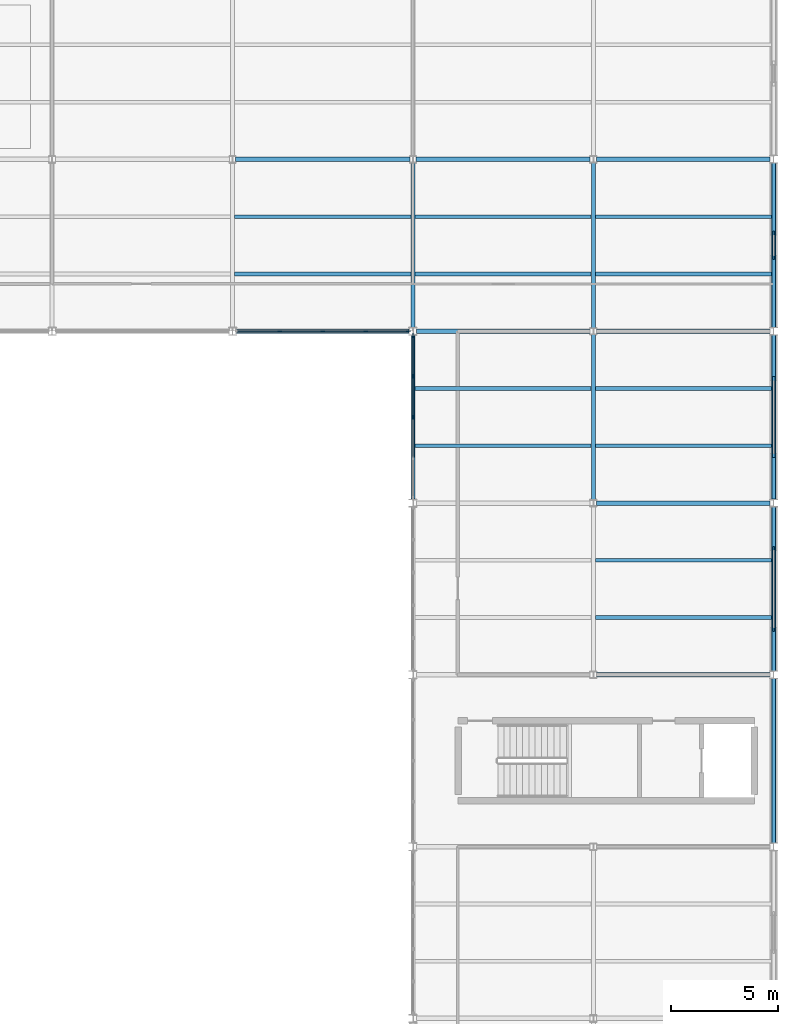
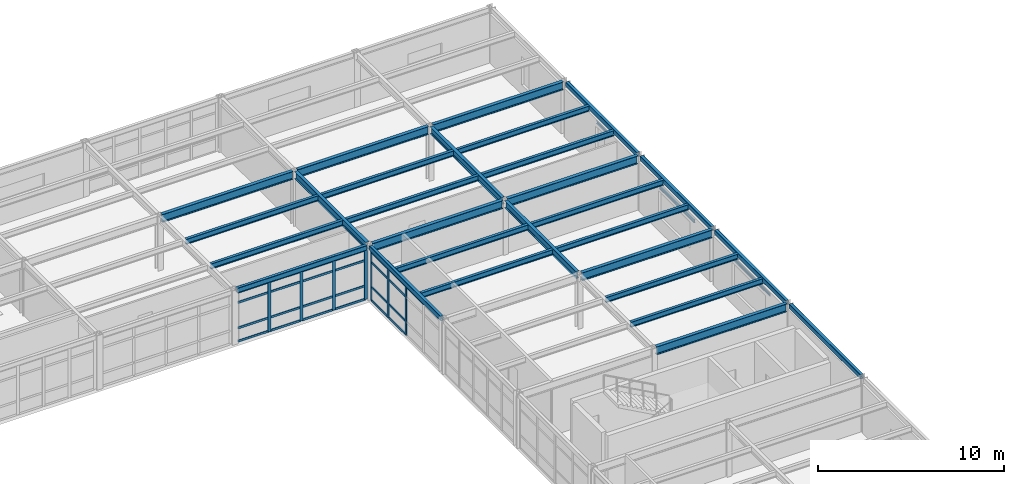
# One storey, part 33 of 96: 32 members, 31 beams, 2 elements without a shape of their own.
"""IFC4 building model written with IfcOpenShell, lengths in metres."""

from ifc_helpers import new_model, si_unit, direction, frame, origin, origin_2d, place, context, subcontext, project, spatial, rectangle, hollow_rectangle, i_section, u_section, extrude, material, layer, layer_set, material_profile, profile_set, type_object, element, aggregate, save


model = new_model("IFC4")

# Units and contexts
model_context = context("Model", 3, precision=1e-05, world=origin(), true_north=direction((0.0, 1.0)))
body_context = subcontext(model_context, "Body", "Model", "MODEL_VIEW")
ifc_project = project(units=[si_unit("LENGTHUNIT", "METRE"), si_unit("AREAUNIT", "SQUARE_METRE"), si_unit("VOLUMEUNIT", "CUBIC_METRE"), si_unit("PLANEANGLEUNIT", "RADIAN"), si_unit("MASSUNIT", "GRAM", prefix="KILO")], contexts=[model_context])

# Site, building, storey
site_placement = place(None, origin())
site = spatial("IfcSite", under=ifc_project, at=site_placement, CompositionType="ELEMENT")
building_placement = place(site_placement, origin())
building = spatial("IfcBuilding", under=site, at=building_placement, Name="Kranzveld Transit Interchange", CompositionType="ELEMENT")
storey_placement = place(building_placement, frame((0.0, 0.0, 9.52001953125)))
storey = spatial("IfcBuildingStorey", under=building, at=storey_placement, Name="L02", CompositionType="ELEMENT", Elevation=9.52001953125)

# Beams
ifc_material_1 = material(Name="Steel S355JR", Category="steel")
ifc_material_profile_1 = material_profile(ifc_material_1, i_section(OverallWidth=0.19189453125, OverallDepth=0.46337890625, WebThickness=0.010498046875, FlangeThickness=0.017578125, FilletRadius=0.01025390625, at=origin_2d()), Name="UB 457x191x89")
ifc_profile_set_1 = profile_set([ifc_material_profile_1], Name="Steel S355JR")
beam_type_1 = type_object("IfcBeamType", Name="Beam Steel UB 457x191x89 S355JR", PredefinedType="BEAM", material=ifc_profile_set_1)
beam_1_placement = place(storey_placement, frame((151.199951171875, 96.17724609375, 3.33837890625), z_axis=(0.0, 1.0, 0.0), x_axis=(-1.0, 0.0, 0.0)))
element("IfcBeam", 1, at=beam_1_placement, inside=storey, type_object=beam_type_1, Name="L02 Girder 19/N-P", PredefinedType="BEAM", context=body_context, shape_type="SweptSolid", body=[
    extrude(i_section(OverallWidth=0.19189453125, OverallDepth=0.46337890625, WebThickness=0.010498046875, FlangeThickness=0.017578125, FilletRadius=0.01025390625, at=origin_2d()), origin(), (0.0, 0.0, 1.0), 7.662841796875),
])
for number, where, z_axis, x_axis, name in (
    (2, (159.60009765625, 88.159912109375, 3.33837890625), (0.0, 1.0, 0.0), (-1.0, 0.0, 0.0), "L02 Girder 20/M-N"),
    (3, (159.60009765625, 96.159912109375, 3.33837890625), (0.0, 1.0, 0.0), (-1.0, 0.0, 0.0), "L02 Girder 20/N-P"),
):
    element("IfcBeam", number, at=place(storey_placement, frame(where, z_axis=z_axis, x_axis=x_axis)), inside=storey, type_object=beam_type_1, Name=name, PredefinedType="BEAM", context=body_context, shape_type="SweptSolid", body=[
        extrude(i_section(OverallWidth=0.19189453125, OverallDepth=0.46337890625, WebThickness=0.010498046875, FlangeThickness=0.017578125, FilletRadius=0.01025390625, at=origin_2d()), origin(), (0.0, 0.0, 1.0), 7.68017578125),
    ])

# Curtain wall, members
ifc_material_2 = material(Name="Bronze-anodised thermally broken aluminium", Category="aluminium")
ifc_layer_1 = layer(ifc_material_2, 0.18505859375)
ifc_layer_set_1 = layer_set([ifc_layer_1], Name="Bronze-anodised thermally broken aluminium")
curtain_wall_type_1 = type_object("IfcCurtainWallType", Name="Control Crown Observation Facade CW-5", PredefinedType="USERDEFINED", material=ifc_layer_set_1)
curtain_wall_1_placement = place(storey_placement, origin())
curtain_wall_1 = element("IfcCurtainWall", 4, at=curtain_wall_1_placement, inside=storey, type_object=curtain_wall_type_1, Name="L02 Curtain Wall 19/M-19/N", ObjectType="CURTAIN WALL", PredefinedType="USERDEFINED")
ifc_material_3 = material(Name="Bronze-anodised thermally broken aluminium", Category="aluminium")
ifc_material_profile_2 = material_profile(ifc_material_3, rectangle(XDim=0.06494140625, YDim=0.179931640625, at=origin_2d()), Name="ALU MULLION 65x180")
ifc_profile_set_2 = profile_set([ifc_material_profile_2], Name="Bronze-anodised thermally broken aluminium")
member_type_1 = type_object("IfcMemberType", Name="Curtain Wall Mullion 65x180 Alu", PredefinedType="MULLION", material=ifc_profile_set_2)
member_1_placement = place(storey_placement, frame((151.199951171875, 92.0, 0.0), z_axis=(0.0, 0.0, 1.0), x_axis=(-1.0, 0.0, 0.0)))
member_1 = element("IfcMember", 5, at=member_1_placement, type_object=member_type_1, Name="CW-5 mullion 3", PredefinedType="MULLION", context=body_context, shape_type="SweptSolid", body=[
    extrude(rectangle(XDim=0.06494140625, YDim=0.179931640625, at=origin_2d()), origin(), (0.0, 0.0, 1.0), 3.218505859375),
])
member_2_placement = place(storey_placement, frame((151.199951171875, 93.90625, 0.0), z_axis=(0.0, 0.0, 1.0), x_axis=(-1.0, 0.0, 0.0)))
member_2 = element("IfcMember", 6, at=member_2_placement, type_object=member_type_1, Name="CW-5 mullion 4", PredefinedType="MULLION", context=body_context, shape_type="SweptSolid", body=[
    extrude(rectangle(XDim=0.06494140625, YDim=0.179931640625, at=origin_2d()), origin(), (0.0, 0.0, 1.0), 3.218505859375),
])
member_3_placement = place(storey_placement, frame((151.199951171875, 95.7802734375, 0.0), z_axis=(0.0, 0.0, 1.0), x_axis=(-1.0, 0.0, 0.0)))
member_3 = element("IfcMember", 7, at=member_3_placement, type_object=member_type_1, Name="CW-5 mullion 5", PredefinedType="MULLION", context=body_context, shape_type="SweptSolid", body=[
    extrude(rectangle(XDim=0.06494140625, YDim=0.179931640625, at=origin_2d()), origin(), (0.0, 0.0, 1.0), 3.218505859375),
])

ifc_material_4 = material(Name="Bronze-anodised thermally broken aluminium", Category="aluminium")
ifc_layer_2 = layer(ifc_material_4, 0.179931640625)
ifc_layer_set_2 = layer_set([ifc_layer_2], Name="Bronze-anodised thermally broken aluminium")
curtain_wall_type_2 = type_object("IfcCurtainWallType", Name="Concourse Unitised Curtain Wall CW-1", PredefinedType="USERDEFINED", material=ifc_layer_set_2)
curtain_wall_2_placement = place(storey_placement, origin())
curtain_wall_2 = element("IfcCurtainWall", 8, at=curtain_wall_2_placement, inside=storey, type_object=curtain_wall_type_2, Name="L02 Curtain Wall 18/N-19/N", ObjectType="CURTAIN WALL", PredefinedType="USERDEFINED")
member_4_placement = place(storey_placement, frame((144.99365234375, 96.0, 0.0), z_axis=(0.0, 0.0, 1.0), x_axis=(0.0, 1.0, 0.0)))
member_4 = element("IfcMember", 9, at=member_4_placement, type_object=member_type_1, Name="CW-1 mullion 2", PredefinedType="MULLION", context=body_context, shape_type="SweptSolid", body=[
    extrude(rectangle(XDim=0.06494140625, YDim=0.179931640625, at=origin_2d()), origin(), (0.0, 0.0, 1.0), 3.27001953125),
])
member_5_placement = place(storey_placement, frame((147.0, 96.0, 0.0), z_axis=(0.0, 0.0, 1.0), x_axis=(0.0, 1.0, 0.0)))
member_5 = element("IfcMember", 10, at=member_5_placement, type_object=member_type_1, Name="CW-1 mullion 3", PredefinedType="MULLION", context=body_context, shape_type="SweptSolid", body=[
    extrude(rectangle(XDim=0.06494140625, YDim=0.179931640625, at=origin_2d()), origin(), (0.0, 0.0, 1.0), 3.27001953125),
])
member_6_placement = place(storey_placement, frame((149.00634765625, 96.0, 0.0), z_axis=(0.0, 0.0, 1.0), x_axis=(0.0, 1.0, 0.0)))
member_6 = element("IfcMember", 11, at=member_6_placement, type_object=member_type_1, Name="CW-1 mullion 4", PredefinedType="MULLION", context=body_context, shape_type="SweptSolid", body=[
    extrude(rectangle(XDim=0.06494140625, YDim=0.179931640625, at=origin_2d()), origin(), (0.0, 0.0, 1.0), 3.27001953125),
])
member_7_placement = place(storey_placement, frame((150.980224609375, 96.0, 0.0), z_axis=(0.0, 0.0, 1.0), x_axis=(0.0, 1.0, 0.0)))
member_7 = element("IfcMember", 12, at=member_7_placement, type_object=member_type_1, Name="CW-1 mullion 5", PredefinedType="MULLION", context=body_context, shape_type="SweptSolid", body=[
    extrude(rectangle(XDim=0.06494140625, YDim=0.179931640625, at=origin_2d()), origin(), (0.0, 0.0, 1.0), 3.27001953125),
])

# Member
ifc_material_5 = material(Name="Bronze-anodised thermally broken aluminium", Category="aluminium")
ifc_material_profile_3 = material_profile(ifc_material_5, rectangle(XDim=0.06494140625, YDim=0.139892578125, at=origin_2d()), Name="ALU TRANSOM 65x140")
ifc_profile_set_3 = profile_set([ifc_material_profile_3], Name="Bronze-anodised thermally broken aluminium")
member_type_2 = type_object("IfcMemberType", Name="Curtain Wall Transom 65x140 Alu", PredefinedType="USERDEFINED", material=ifc_profile_set_3)
member_8_placement = place(storey_placement, frame((151.199951171875, 90.126220703125, 3.18603515625), z_axis=(0.0, 1.0, 0.0), x_axis=(-1.0, 0.0, 0.0)))
member_8 = element("IfcMember", 13, at=member_8_placement, type_object=member_type_2, Name="CW-5 transom 2.4", ObjectType="TRANSOM", PredefinedType="USERDEFINED", context=body_context, shape_type="SweptSolid", body=[
    extrude(rectangle(XDim=0.06494140625, YDim=0.139892578125, at=origin_2d()), origin(), (0.0, 0.0, 1.0), 1.84130859375),
])

member_9_placement = place(storey_placement, frame((151.199951171875, 92.032470703125, 0.032470703125), z_axis=(0.0, 1.0, 0.0), x_axis=(-1.0, 0.0, 0.0)))
member_9 = element("IfcMember", 14, at=member_9_placement, type_object=member_type_2, Name="CW-5 transom 3.1", ObjectType="TRANSOM", PredefinedType="USERDEFINED", context=body_context, shape_type="SweptSolid", body=[
    extrude(rectangle(XDim=0.06494140625, YDim=0.139892578125, at=origin_2d()), origin(), (0.0, 0.0, 1.0), 1.84130859375),
])

member_10_placement = place(storey_placement, frame((151.199951171875, 92.032470703125, 0.89990234375), z_axis=(0.0, 1.0, 0.0), x_axis=(-1.0, 0.0, 0.0)))
member_10 = element("IfcMember", 15, at=member_10_placement, type_object=member_type_2, Name="CW-5 transom 3.2", ObjectType="TRANSOM", PredefinedType="USERDEFINED", context=body_context, shape_type="SweptSolid", body=[
    extrude(rectangle(XDim=0.06494140625, YDim=0.139892578125, at=origin_2d()), origin(), (0.0, 0.0, 1.0), 1.84130859375),
])

member_11_placement = place(storey_placement, frame((151.199951171875, 92.032470703125, 2.5185546875), z_axis=(0.0, 1.0, 0.0), x_axis=(-1.0, 0.0, 0.0)))
member_11 = element("IfcMember", 16, at=member_11_placement, type_object=member_type_2, Name="CW-5 transom 3.3", ObjectType="TRANSOM", PredefinedType="USERDEFINED", context=body_context, shape_type="SweptSolid", body=[
    extrude(rectangle(XDim=0.06494140625, YDim=0.139892578125, at=origin_2d()), origin(), (0.0, 0.0, 1.0), 1.84130859375),
])

member_12_placement = place(storey_placement, frame((151.199951171875, 92.032470703125, 3.18603515625), z_axis=(0.0, 1.0, 0.0), x_axis=(-1.0, 0.0, 0.0)))
member_12 = element("IfcMember", 17, at=member_12_placement, type_object=member_type_2, Name="CW-5 transom 3.4", ObjectType="TRANSOM", PredefinedType="USERDEFINED", context=body_context, shape_type="SweptSolid", body=[
    extrude(rectangle(XDim=0.06494140625, YDim=0.139892578125, at=origin_2d()), origin(), (0.0, 0.0, 1.0), 1.84130859375),
])

member_13_placement = place(storey_placement, frame((151.199951171875, 93.93896484375, 0.032470703125), z_axis=(0.0, 1.0, 0.0), x_axis=(-1.0, 0.0, 0.0)))
member_13 = element("IfcMember", 18, at=member_13_placement, type_object=member_type_2, Name="CW-5 transom 4.1", ObjectType="TRANSOM", PredefinedType="USERDEFINED", context=body_context, shape_type="SweptSolid", body=[
    extrude(rectangle(XDim=0.06494140625, YDim=0.139892578125, at=origin_2d()), origin(), (0.0, 0.0, 1.0), 1.808837890625),
])

member_14_placement = place(storey_placement, frame((151.199951171875, 93.93896484375, 0.89990234375), z_axis=(0.0, 1.0, 0.0), x_axis=(-1.0, 0.0, 0.0)))
member_14 = element("IfcMember", 19, at=member_14_placement, type_object=member_type_2, Name="CW-5 transom 4.2", ObjectType="TRANSOM", PredefinedType="USERDEFINED", context=body_context, shape_type="SweptSolid", body=[
    extrude(rectangle(XDim=0.06494140625, YDim=0.139892578125, at=origin_2d()), origin(), (0.0, 0.0, 1.0), 1.808837890625),
])

member_15_placement = place(storey_placement, frame((151.199951171875, 93.93896484375, 2.5185546875), z_axis=(0.0, 1.0, 0.0), x_axis=(-1.0, 0.0, 0.0)))
member_15 = element("IfcMember", 20, at=member_15_placement, type_object=member_type_2, Name="CW-5 transom 4.3", ObjectType="TRANSOM", PredefinedType="USERDEFINED", context=body_context, shape_type="SweptSolid", body=[
    extrude(rectangle(XDim=0.06494140625, YDim=0.139892578125, at=origin_2d()), origin(), (0.0, 0.0, 1.0), 1.808837890625),
])

member_16_placement = place(storey_placement, frame((151.199951171875, 93.93896484375, 3.18603515625), z_axis=(0.0, 1.0, 0.0), x_axis=(-1.0, 0.0, 0.0)))
member_16 = element("IfcMember", 21, at=member_16_placement, type_object=member_type_2, Name="CW-5 transom 4.4", ObjectType="TRANSOM", PredefinedType="USERDEFINED", context=body_context, shape_type="SweptSolid", body=[
    extrude(rectangle(XDim=0.06494140625, YDim=0.139892578125, at=origin_2d()), origin(), (0.0, 0.0, 1.0), 1.808837890625),
])

aggregate(curtain_wall_1, [member_1, member_2, member_3, member_8, member_9, member_10, member_11, member_12, member_13, member_14, member_15, member_16])

member_17_placement = place(storey_placement, frame((143.05224609375, 96.0, 0.032470703125), z_axis=(1.0, 0.0, 0.0), x_axis=(0.0, 1.0, 0.0)))
member_17 = element("IfcMember", 22, at=member_17_placement, type_object=member_type_2, Name="CW-1 transom 1.1", ObjectType="TRANSOM", PredefinedType="USERDEFINED", context=body_context, shape_type="SweptSolid", body=[
    extrude(rectangle(XDim=0.06494140625, YDim=0.139892578125, at=origin_2d()), origin(), (0.0, 0.0, 1.0), 1.908935546875),
])

member_18_placement = place(storey_placement, frame((143.05224609375, 96.0, 0.89990234375), z_axis=(1.0, 0.0, 0.0), x_axis=(0.0, 1.0, 0.0)))
member_18 = element("IfcMember", 23, at=member_18_placement, type_object=member_type_2, Name="CW-1 transom 1.2", ObjectType="TRANSOM", PredefinedType="USERDEFINED", context=body_context, shape_type="SweptSolid", body=[
    extrude(rectangle(XDim=0.06494140625, YDim=0.139892578125, at=origin_2d()), origin(), (0.0, 0.0, 1.0), 1.908935546875),
])

member_19_placement = place(storey_placement, frame((143.05224609375, 96.0, 2.570068359375), z_axis=(1.0, 0.0, 0.0), x_axis=(0.0, 1.0, 0.0)))
member_19 = element("IfcMember", 24, at=member_19_placement, type_object=member_type_2, Name="CW-1 transom 1.3", ObjectType="TRANSOM", PredefinedType="USERDEFINED", context=body_context, shape_type="SweptSolid", body=[
    extrude(rectangle(XDim=0.06494140625, YDim=0.139892578125, at=origin_2d()), origin(), (0.0, 0.0, 1.0), 1.908935546875),
])

member_20_placement = place(storey_placement, frame((143.05224609375, 96.0, 3.237548828125), z_axis=(1.0, 0.0, 0.0), x_axis=(0.0, 1.0, 0.0)))
member_20 = element("IfcMember", 25, at=member_20_placement, type_object=member_type_2, Name="CW-1 transom 1.4", ObjectType="TRANSOM", PredefinedType="USERDEFINED", context=body_context, shape_type="SweptSolid", body=[
    extrude(rectangle(XDim=0.06494140625, YDim=0.139892578125, at=origin_2d()), origin(), (0.0, 0.0, 1.0), 1.908935546875),
])

member_21_placement = place(storey_placement, frame((145.026123046875, 96.0, 0.032470703125), z_axis=(1.0, 0.0, 0.0), x_axis=(0.0, 1.0, 0.0)))
member_21 = element("IfcMember", 26, at=member_21_placement, type_object=member_type_2, Name="CW-1 transom 2.1", ObjectType="TRANSOM", PredefinedType="USERDEFINED", context=body_context, shape_type="SweptSolid", body=[
    extrude(rectangle(XDim=0.06494140625, YDim=0.139892578125, at=origin_2d()), origin(), (0.0, 0.0, 1.0), 1.94140625),
])

member_22_placement = place(storey_placement, frame((145.026123046875, 96.0, 0.89990234375), z_axis=(1.0, 0.0, 0.0), x_axis=(0.0, 1.0, 0.0)))
member_22 = element("IfcMember", 27, at=member_22_placement, type_object=member_type_2, Name="CW-1 transom 2.2", ObjectType="TRANSOM", PredefinedType="USERDEFINED", context=body_context, shape_type="SweptSolid", body=[
    extrude(rectangle(XDim=0.06494140625, YDim=0.139892578125, at=origin_2d()), origin(), (0.0, 0.0, 1.0), 1.94140625),
])

member_23_placement = place(storey_placement, frame((145.026123046875, 96.0, 2.570068359375), z_axis=(1.0, 0.0, 0.0), x_axis=(0.0, 1.0, 0.0)))
member_23 = element("IfcMember", 28, at=member_23_placement, type_object=member_type_2, Name="CW-1 transom 2.3", ObjectType="TRANSOM", PredefinedType="USERDEFINED", context=body_context, shape_type="SweptSolid", body=[
    extrude(rectangle(XDim=0.06494140625, YDim=0.139892578125, at=origin_2d()), origin(), (0.0, 0.0, 1.0), 1.94140625),
])

member_24_placement = place(storey_placement, frame((145.026123046875, 96.0, 3.237548828125), z_axis=(1.0, 0.0, 0.0), x_axis=(0.0, 1.0, 0.0)))
member_24 = element("IfcMember", 29, at=member_24_placement, type_object=member_type_2, Name="CW-1 transom 2.4", ObjectType="TRANSOM", PredefinedType="USERDEFINED", context=body_context, shape_type="SweptSolid", body=[
    extrude(rectangle(XDim=0.06494140625, YDim=0.139892578125, at=origin_2d()), origin(), (0.0, 0.0, 1.0), 1.94140625),
])

member_25_placement = place(storey_placement, frame((147.032470703125, 96.0, 0.032470703125), z_axis=(1.0, 0.0, 0.0), x_axis=(0.0, 1.0, 0.0)))
member_25 = element("IfcMember", 30, at=member_25_placement, type_object=member_type_2, Name="CW-1 transom 3.1", ObjectType="TRANSOM", PredefinedType="USERDEFINED", context=body_context, shape_type="SweptSolid", body=[
    extrude(rectangle(XDim=0.06494140625, YDim=0.139892578125, at=origin_2d()), origin(), (0.0, 0.0, 1.0), 1.94140625),
])

member_26_placement = place(storey_placement, frame((147.032470703125, 96.0, 0.89990234375), z_axis=(1.0, 0.0, 0.0), x_axis=(0.0, 1.0, 0.0)))
member_26 = element("IfcMember", 31, at=member_26_placement, type_object=member_type_2, Name="CW-1 transom 3.2", ObjectType="TRANSOM", PredefinedType="USERDEFINED", context=body_context, shape_type="SweptSolid", body=[
    extrude(rectangle(XDim=0.06494140625, YDim=0.139892578125, at=origin_2d()), origin(), (0.0, 0.0, 1.0), 1.94140625),
])

member_27_placement = place(storey_placement, frame((147.032470703125, 96.0, 2.570068359375), z_axis=(1.0, 0.0, 0.0), x_axis=(0.0, 1.0, 0.0)))
member_27 = element("IfcMember", 32, at=member_27_placement, type_object=member_type_2, Name="CW-1 transom 3.3", ObjectType="TRANSOM", PredefinedType="USERDEFINED", context=body_context, shape_type="SweptSolid", body=[
    extrude(rectangle(XDim=0.06494140625, YDim=0.139892578125, at=origin_2d()), origin(), (0.0, 0.0, 1.0), 1.94140625),
])

member_28_placement = place(storey_placement, frame((147.032470703125, 96.0, 3.237548828125), z_axis=(1.0, 0.0, 0.0), x_axis=(0.0, 1.0, 0.0)))
member_28 = element("IfcMember", 33, at=member_28_placement, type_object=member_type_2, Name="CW-1 transom 3.4", ObjectType="TRANSOM", PredefinedType="USERDEFINED", context=body_context, shape_type="SweptSolid", body=[
    extrude(rectangle(XDim=0.06494140625, YDim=0.139892578125, at=origin_2d()), origin(), (0.0, 0.0, 1.0), 1.94140625),
])

member_29_placement = place(storey_placement, frame((149.038818359375, 96.0, 0.032470703125), z_axis=(1.0, 0.0, 0.0), x_axis=(0.0, 1.0, 0.0)))
member_29 = element("IfcMember", 34, at=member_29_placement, type_object=member_type_2, Name="CW-1 transom 4.1", ObjectType="TRANSOM", PredefinedType="USERDEFINED", context=body_context, shape_type="SweptSolid", body=[
    extrude(rectangle(XDim=0.06494140625, YDim=0.139892578125, at=origin_2d()), origin(), (0.0, 0.0, 1.0), 1.908935546875),
])

member_30_placement = place(storey_placement, frame((149.038818359375, 96.0, 0.89990234375), z_axis=(1.0, 0.0, 0.0), x_axis=(0.0, 1.0, 0.0)))
member_30 = element("IfcMember", 35, at=member_30_placement, type_object=member_type_2, Name="CW-1 transom 4.2", ObjectType="TRANSOM", PredefinedType="USERDEFINED", context=body_context, shape_type="SweptSolid", body=[
    extrude(rectangle(XDim=0.06494140625, YDim=0.139892578125, at=origin_2d()), origin(), (0.0, 0.0, 1.0), 1.908935546875),
])

member_31_placement = place(storey_placement, frame((149.038818359375, 96.0, 2.570068359375), z_axis=(1.0, 0.0, 0.0), x_axis=(0.0, 1.0, 0.0)))
member_31 = element("IfcMember", 36, at=member_31_placement, type_object=member_type_2, Name="CW-1 transom 4.3", ObjectType="TRANSOM", PredefinedType="USERDEFINED", context=body_context, shape_type="SweptSolid", body=[
    extrude(rectangle(XDim=0.06494140625, YDim=0.139892578125, at=origin_2d()), origin(), (0.0, 0.0, 1.0), 1.908935546875),
])

member_32_placement = place(storey_placement, frame((149.038818359375, 96.0, 3.237548828125), z_axis=(1.0, 0.0, 0.0), x_axis=(0.0, 1.0, 0.0)))
member_32 = element("IfcMember", 37, at=member_32_placement, type_object=member_type_2, Name="CW-1 transom 4.4", ObjectType="TRANSOM", PredefinedType="USERDEFINED", context=body_context, shape_type="SweptSolid", body=[
    extrude(rectangle(XDim=0.06494140625, YDim=0.139892578125, at=origin_2d()), origin(), (0.0, 0.0, 1.0), 1.908935546875),
])

aggregate(curtain_wall_2, [member_4, member_5, member_6, member_7, member_17, member_18, member_19, member_20, member_21, member_22, member_23, member_24, member_25, member_26, member_27, member_28, member_29, member_30, member_31, member_32])

# Beams
ifc_material_6 = material(Name="Steel S355JR", Category="steel")
ifc_material_profile_4 = material_profile(ifc_material_6, hollow_rectangle(XDim=0.199951171875, YDim=0.300048828125, WallThickness=0.010009765625, InnerFilletRadius=0.014892578125, OuterFilletRadius=0.02490234375, at=origin_2d()), Name="RHS 300x200x10")
ifc_profile_set_4 = profile_set([ifc_material_profile_4], Name="Steel S355JR")
beam_type_2 = type_object("IfcBeamType", Name="Edge Spandrel RHS 300x200x10 S355JR", PredefinedType="SPANDREL", material=ifc_profile_set_4)
beam_2_placement = place(storey_placement, frame((142.977294921875, 96.0, 3.419921875), z_axis=(1.0, 0.0, 0.0), x_axis=(0.0, 1.0, 0.0)))
element("IfcBeam", 38, at=beam_2_placement, inside=storey, type_object=beam_type_2, Name="L02 Girder 18-19/N", PredefinedType="SPANDREL", context=body_context, shape_type="SweptSolid", body=[
    extrude(hollow_rectangle(XDim=0.199951171875, YDim=0.300048828125, WallThickness=0.010009765625, InnerFilletRadius=0.014892578125, OuterFilletRadius=0.02490234375, at=origin_2d()), origin(), (0.0, 0.0, 1.0), 8.04541015625),
])
for number, where, z_axis, x_axis, name in (
    (39, (151.199951171875, 88.17724609375, 3.419921875), (0.0, 1.0, 0.0), (-1.0, 0.0, 0.0), "L02 Girder 19/M-N"),
    (40, (168.0, 72.17724609375, 3.419921875), (0.0, 1.0, 0.0), (-1.0, 0.0, 0.0), "L02 Girder 21/K-L"),
    (41, (168.0, 80.17724609375, 3.419921875), (0.0, 1.0, 0.0), (-1.0, 0.0, 0.0), "L02 Girder 21/L-M"),
    (42, (168.0, 88.17724609375, 3.419921875), (0.0, 1.0, 0.0), (-1.0, 0.0, 0.0), "L02 Girder 21/M-N"),
    (43, (168.0, 96.17724609375, 3.419921875), (0.0, 1.0, 0.0), (-1.0, 0.0, 0.0), "L02 Girder 21/N-P"),
):
    element("IfcBeam", number, at=place(storey_placement, frame(where, z_axis=z_axis, x_axis=x_axis)), inside=storey, type_object=beam_type_2, Name=name, PredefinedType="SPANDREL", context=body_context, shape_type="SweptSolid", body=[
        extrude(hollow_rectangle(XDim=0.199951171875, YDim=0.300048828125, WallThickness=0.010009765625, InnerFilletRadius=0.014892578125, OuterFilletRadius=0.02490234375, at=origin_2d()), origin(), (0.0, 0.0, 1.0), 7.6455078125),
    ])
ifc_material_7 = material(Name="Steel S355JR", Category="steel")
ifc_material_profile_5 = material_profile(ifc_material_7, i_section(OverallWidth=0.171142578125, OverallDepth=0.351318359375, WebThickness=0.007080078125, FlangeThickness=0.009765625, FilletRadius=0.01025390625, at=origin_2d()), Name="UB 356x171x45")
ifc_profile_set_5 = profile_set([ifc_material_profile_5], Name="Steel S355JR")
beam_type_3 = type_object("IfcBeamType", Name="Floor Joist UB 356x171x45 S355JR", PredefinedType="JOIST", material=ifc_profile_set_5)
for number, where, z_axis, x_axis, name in (
    (44, (142.89794921875, 98.666748046875, 3.394287109375), (1.0, 0.0, 0.0), (0.0, 1.0, 0.0), "L02 Secondary Joist 18-19/N.1"),
    (45, (142.89794921875, 101.333251953125, 3.394287109375), (1.0, 0.0, 0.0), (0.0, 1.0, 0.0), "L02 Secondary Joist 18-19/N.2"),
):
    element("IfcBeam", number, at=place(storey_placement, frame(where, z_axis=z_axis, x_axis=x_axis)), inside=storey, type_object=beam_type_3, Name=name, PredefinedType="JOIST", context=body_context, shape_type="SweptSolid", body=[
        extrude(i_section(OverallWidth=0.171142578125, OverallDepth=0.351318359375, WebThickness=0.007080078125, FlangeThickness=0.009765625, FilletRadius=0.01025390625, at=origin_2d()), origin(), (0.0, 0.0, 1.0), 8.2041015625),
    ])
for number, where, z_axis, x_axis, name in (
    (46, (151.302001953125, 90.666748046875, 3.394287109375), (1.0, 0.0, 0.0), (0.0, 1.0, 0.0), "L02 Secondary Joist 19-20/M.1"),
    (47, (151.302001953125, 93.333251953125, 3.394287109375), (1.0, 0.0, 0.0), (0.0, 1.0, 0.0), "L02 Secondary Joist 19-20/M.2"),
):
    element("IfcBeam", number, at=place(storey_placement, frame(where, z_axis=z_axis, x_axis=x_axis)), inside=storey, type_object=beam_type_3, Name=name, PredefinedType="JOIST", context=body_context, shape_type="SweptSolid", body=[
        extrude(i_section(OverallWidth=0.171142578125, OverallDepth=0.351318359375, WebThickness=0.007080078125, FlangeThickness=0.009765625, FilletRadius=0.01025390625, at=origin_2d()), origin(), (0.0, 0.0, 1.0), 8.199951171875),
    ])
for number, where, z_axis, x_axis, name in (
    (48, (151.2978515625, 98.666748046875, 3.394287109375), (1.0, 0.0, 0.0), (0.0, 1.0, 0.0), "L02 Secondary Joist 19-20/N.1"),
    (49, (151.2978515625, 101.333251953125, 3.394287109375), (1.0, 0.0, 0.0), (0.0, 1.0, 0.0), "L02 Secondary Joist 19-20/N.2"),
):
    element("IfcBeam", number, at=place(storey_placement, frame(where, z_axis=z_axis, x_axis=x_axis)), inside=storey, type_object=beam_type_3, Name=name, PredefinedType="JOIST", context=body_context, shape_type="SweptSolid", body=[
        extrude(i_section(OverallWidth=0.171142578125, OverallDepth=0.351318359375, WebThickness=0.007080078125, FlangeThickness=0.009765625, FilletRadius=0.01025390625, at=origin_2d()), origin(), (0.0, 0.0, 1.0), 8.2041015625),
    ])
for number, where, z_axis, x_axis, name in (
    (50, (159.697998046875, 82.666748046875, 3.394287109375), (1.0, 0.0, 0.0), (0.0, 1.0, 0.0), "L02 Secondary Joist 20-21/L.1"),
    (51, (159.697998046875, 85.333251953125, 3.394287109375), (1.0, 0.0, 0.0), (0.0, 1.0, 0.0), "L02 Secondary Joist 20-21/L.2"),
    (52, (159.697998046875, 90.666748046875, 3.394287109375), (1.0, 0.0, 0.0), (0.0, 1.0, 0.0), "L02 Secondary Joist 20-21/M.1"),
    (53, (159.697998046875, 93.333251953125, 3.394287109375), (1.0, 0.0, 0.0), (0.0, 1.0, 0.0), "L02 Secondary Joist 20-21/M.2"),
    (54, (159.697998046875, 98.666748046875, 3.394287109375), (1.0, 0.0, 0.0), (0.0, 1.0, 0.0), "L02 Secondary Joist 20-21/N.1"),
    (55, (159.697998046875, 101.333251953125, 3.394287109375), (1.0, 0.0, 0.0), (0.0, 1.0, 0.0), "L02 Secondary Joist 20-21/N.2"),
):
    element("IfcBeam", number, at=place(storey_placement, frame(where, z_axis=z_axis, x_axis=x_axis)), inside=storey, type_object=beam_type_3, Name=name, PredefinedType="JOIST", context=body_context, shape_type="SweptSolid", body=[
        extrude(i_section(OverallWidth=0.171142578125, OverallDepth=0.351318359375, WebThickness=0.007080078125, FlangeThickness=0.009765625, FilletRadius=0.01025390625, at=origin_2d()), origin(), (0.0, 0.0, 1.0), 8.199951171875),
    ])
ifc_material_8 = material(Name="Steel S355JR", Category="steel")
ifc_material_profile_6 = material_profile(ifc_material_8, i_section(OverallWidth=0.209228515625, OverallDepth=0.533203125, WebThickness=0.010009765625, FlangeThickness=0.015625, FilletRadius=0.0126953125, at=origin_2d()), Name="UB 533x210x92")
ifc_profile_set_6 = profile_set([ifc_material_profile_6], Name="Steel S355JR")
beam_type_4 = type_object("IfcBeamType", Name="Girder Steel UB 533x210x92 S355JR", PredefinedType="BEAM", material=ifc_profile_set_6)
for number, where, z_axis, x_axis, name in (
    (56, (159.747314453125, 80.0, 3.303466796875), (1.0, 0.0, 0.0), (0.0, 1.0, 0.0), "L02 Girder 20-21/L"),
    (57, (159.747314453125, 88.0, 3.303466796875), (1.0, 0.0, 0.0), (0.0, 1.0, 0.0), "L02 Girder 20-21/M"),
):
    element("IfcBeam", number, at=place(storey_placement, frame(where, z_axis=z_axis, x_axis=x_axis)), inside=storey, type_object=beam_type_4, Name=name, PredefinedType="BEAM", context=body_context, shape_type="SweptSolid", body=[
        extrude(i_section(OverallWidth=0.209228515625, OverallDepth=0.533203125, WebThickness=0.010009765625, FlangeThickness=0.015625, FilletRadius=0.0126953125, at=origin_2d()), origin(), (0.0, 0.0, 1.0), 8.075439453125),
    ])
beam_3_placement = place(storey_placement, frame((151.377197265625, 96.0, 3.303466796875), z_axis=(1.0, 0.0, 0.0), x_axis=(0.0, 1.0, 0.0)))
element("IfcBeam", 58, at=beam_3_placement, inside=storey, type_object=beam_type_4, Name="L02 Girder 19-20/N", PredefinedType="BEAM", context=body_context, shape_type="SweptSolid", body=[
    extrude(i_section(OverallWidth=0.209228515625, OverallDepth=0.533203125, WebThickness=0.010009765625, FlangeThickness=0.015625, FilletRadius=0.0126953125, at=origin_2d()), origin(), (0.0, 0.0, 1.0), 8.07568359375),
])
beam_4_placement = place(storey_placement, frame((159.747314453125, 96.0, 3.303466796875), z_axis=(1.0, 0.0, 0.0), x_axis=(0.0, 1.0, 0.0)))
element("IfcBeam", 59, at=beam_4_placement, inside=storey, type_object=beam_type_4, Name="L02 Girder 20-21/N", PredefinedType="BEAM", context=body_context, shape_type="SweptSolid", body=[
    extrude(i_section(OverallWidth=0.209228515625, OverallDepth=0.533203125, WebThickness=0.010009765625, FlangeThickness=0.015625, FilletRadius=0.0126953125, at=origin_2d()), origin(), (0.0, 0.0, 1.0), 8.075439453125),
])
beam_5_placement = place(storey_placement, frame((142.947265625, 104.0, 3.303466796875), z_axis=(1.0, 0.0, 0.0), x_axis=(0.0, 1.0, 0.0)))
element("IfcBeam", 60, at=beam_5_placement, inside=storey, type_object=beam_type_4, Name="L02 Girder 18-19/P", PredefinedType="BEAM", context=body_context, shape_type="SweptSolid", body=[
    extrude(i_section(OverallWidth=0.209228515625, OverallDepth=0.533203125, WebThickness=0.010009765625, FlangeThickness=0.015625, FilletRadius=0.0126953125, at=origin_2d()), origin(), (0.0, 0.0, 1.0), 8.10546875),
])
beam_6_placement = place(storey_placement, frame((151.34716796875, 104.0, 3.303466796875), z_axis=(1.0, 0.0, 0.0), x_axis=(0.0, 1.0, 0.0)))
element("IfcBeam", 61, at=beam_6_placement, inside=storey, type_object=beam_type_4, Name="L02 Girder 19-20/P", PredefinedType="BEAM", context=body_context, shape_type="SweptSolid", body=[
    extrude(i_section(OverallWidth=0.209228515625, OverallDepth=0.533203125, WebThickness=0.010009765625, FlangeThickness=0.015625, FilletRadius=0.0126953125, at=origin_2d()), origin(), (0.0, 0.0, 1.0), 8.105712890625),
])
beam_7_placement = place(storey_placement, frame((159.747314453125, 104.0, 3.303466796875), z_axis=(1.0, 0.0, 0.0), x_axis=(0.0, 1.0, 0.0)))
element("IfcBeam", 62, at=beam_7_placement, inside=storey, type_object=beam_type_4, Name="L02 Girder 20-21/P", PredefinedType="BEAM", context=body_context, shape_type="SweptSolid", body=[
    extrude(i_section(OverallWidth=0.209228515625, OverallDepth=0.533203125, WebThickness=0.010009765625, FlangeThickness=0.015625, FilletRadius=0.0126953125, at=origin_2d()), origin(), (0.0, 0.0, 1.0), 8.075439453125),
])
ifc_material_9 = material(Name="Steel S355JR", Category="steel")
ifc_material_profile_7 = material_profile(ifc_material_9, u_section(Depth=0.179931640625, FlangeWidth=0.070068359375, WebThickness=0.007080078125, FlangeThickness=0.010986328125, FilletRadius=0.010009765625, at=origin_2d()), Name="PFC 180x70x22")
ifc_profile_set_7 = profile_set([ifc_material_profile_7], Name="Steel S355JR")
beam_type_5 = type_object("IfcBeamType", Name="Masonry Lintel PFC 180x70x22 S355JR", PredefinedType="LINTEL", material=ifc_profile_set_7)
beam_8_placement = place(storey_placement, frame((168.0, 99.344970703125, 2.844970703125), z_axis=(0.0, 1.0, 0.0), x_axis=(-1.0, 0.0, 0.0)))
element("IfcBeam", 63, at=beam_8_placement, inside=storey, type_object=beam_type_5, Name="L02 Window Lintel 137", PredefinedType="LINTEL", context=body_context, shape_type="SweptSolid", body=[
    extrude(u_section(Depth=0.179931640625, FlangeWidth=0.070068359375, WebThickness=0.007080078125, FlangeThickness=0.010986328125, FilletRadius=0.010009765625, at=origin_2d()), origin(), (0.0, 0.0, 1.0), 1.31005859375),
])
beam_9_placement = place(storey_placement, frame((168.0, 82.02001953125, 2.794921875), z_axis=(0.0, 1.0, 0.0), x_axis=(-1.0, 0.0, 0.0)))
element("IfcBeam", 64, at=beam_9_placement, inside=storey, type_object=beam_type_5, Name="L02 Window Lintel 141", PredefinedType="LINTEL", context=body_context, shape_type="SweptSolid", body=[
    extrude(u_section(Depth=0.179931640625, FlangeWidth=0.070068359375, WebThickness=0.007080078125, FlangeThickness=0.010986328125, FilletRadius=0.010009765625, at=origin_2d()), origin(), (0.0, 0.0, 1.0), 3.9599609375),
])
ifc_material_10 = material(Name="Steel S355JR", Category="steel")
ifc_material_profile_8 = material_profile(ifc_material_10, i_section(OverallWidth=0.10009765625, OverallDepth=0.199951171875, WebThickness=0.005615234375, FlangeThickness=0.008544921875, FilletRadius=0.011962890625, at=origin_2d()), Name="IPE 200")
ifc_profile_set_8 = profile_set([ifc_material_profile_8], Name="Steel S355JR")
beam_type_6 = type_object("IfcBeamType", Name="Opening Lintel IPE 200 S355JR", PredefinedType="LINTEL", material=ifc_profile_set_8)
beam_10_placement = place(storey_placement, frame((168.0, 90.1201171875, 2.705078125), z_axis=(0.0, 1.0, 0.0), x_axis=(-1.0, 0.0, 0.0)))
element("IfcBeam", 65, at=beam_10_placement, inside=storey, type_object=beam_type_6, Name="L02 Window Lintel 142", PredefinedType="LINTEL", context=body_context, shape_type="SweptSolid", body=[
    extrude(i_section(OverallWidth=0.10009765625, OverallDepth=0.199951171875, WebThickness=0.005615234375, FlangeThickness=0.008544921875, FilletRadius=0.011962890625, at=origin_2d()), origin(), (0.0, 0.0, 1.0), 3.759765625),
])

save(model, "model.ifc")
